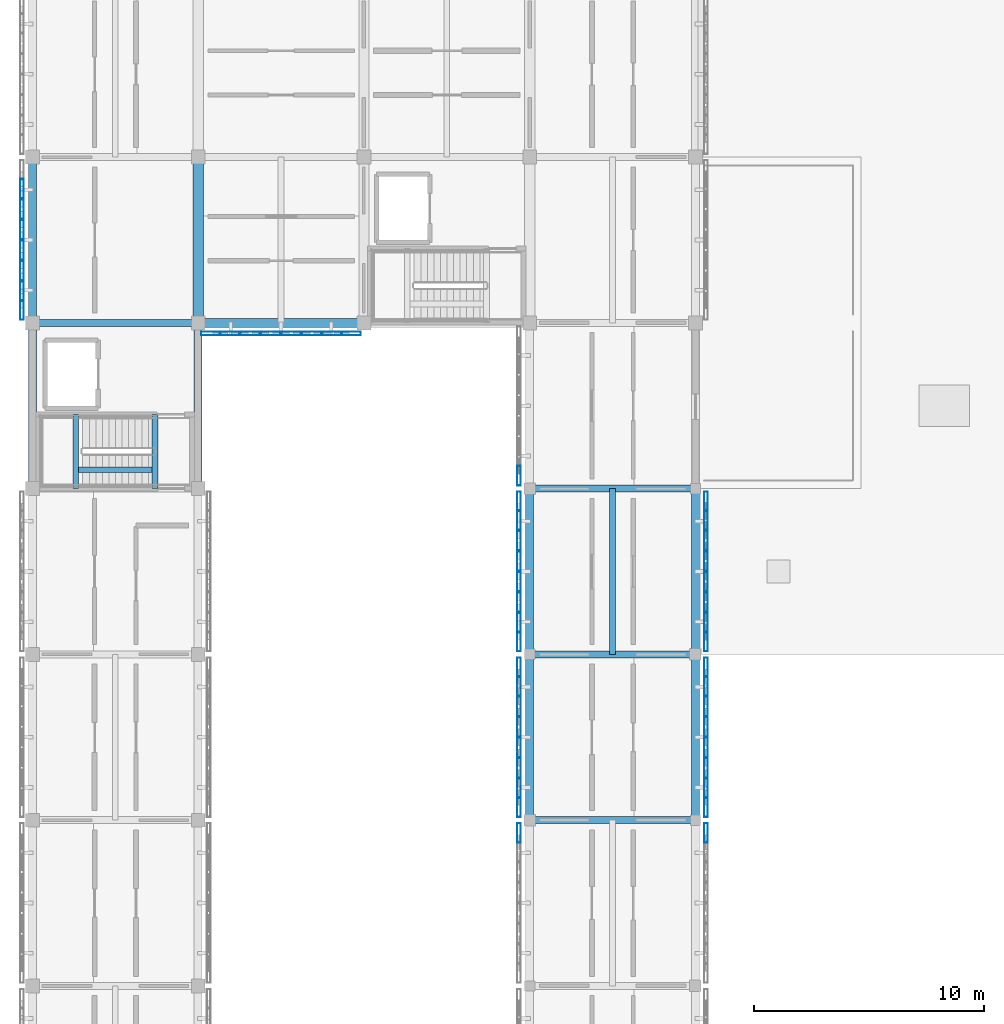
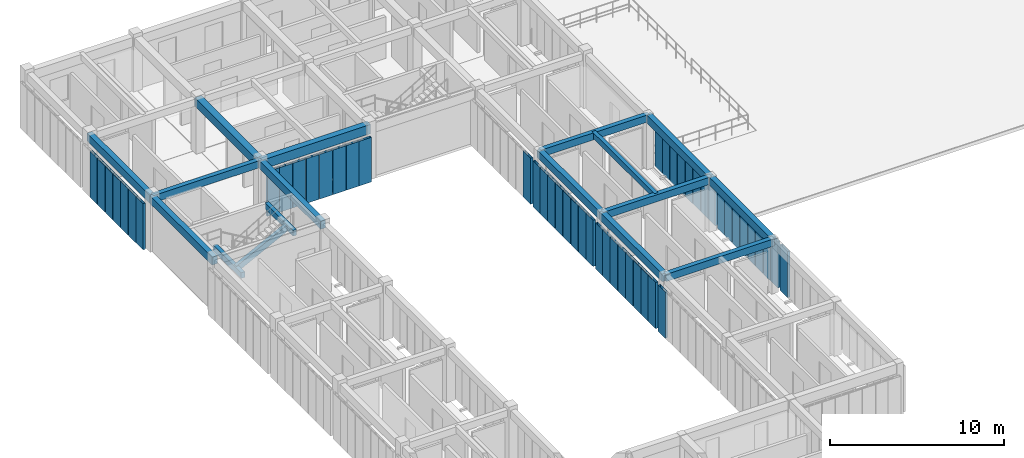
# One storey, part 7 of 67: 50 members, 17 beams, 9 elements without a shape of their own.
"""IFC4 building model written with IfcOpenShell, lengths in metres."""

from ifc_helpers import new_model, si_unit, direction, frame, origin, origin_2d, place, context, subcontext, project, spatial, rectangle, hollow_rectangle, extrude, material, material_profile, profile_set, type_object, element, aggregate, save


model = new_model("IFC4")

# Units and contexts
model_context = context("Model", 3, precision=1e-05, world=origin(), true_north=direction((0.0, 1.0)))
body_context = subcontext(model_context, "Body", "Model", "MODEL_VIEW")
ifc_project = project(units=[si_unit("LENGTHUNIT", "METRE"), si_unit("AREAUNIT", "SQUARE_METRE"), si_unit("VOLUMEUNIT", "CUBIC_METRE"), si_unit("PLANEANGLEUNIT", "RADIAN"), si_unit("MASSUNIT", "GRAM", prefix="KILO")], contexts=[model_context])

# Site, building, storey
site_placement = place(None, origin())
site = spatial("IfcSite", under=ifc_project, at=site_placement, CompositionType="ELEMENT")
building_placement = place(site_placement, origin())
building = spatial("IfcBuilding", under=site, at=building_placement, Name="Aldebral Square Health Centre", CompositionType="ELEMENT")
storey_placement = place(building_placement, frame((0.0, 0.0, 13.5)))
storey = spatial("IfcBuildingStorey", under=building, at=storey_placement, Name="L03", CompositionType="ELEMENT", Elevation=13.5)

# Beams
ifc_material_1 = material(Name="Concrete C40/50", Category="concrete")
ifc_material_profile_1 = material_profile(ifc_material_1, rectangle(XDim=0.39990234375, YDim=0.64990234375, at=origin_2d()), Name="RC 400x650")
ifc_profile_set_1 = profile_set([ifc_material_profile_1], Name="Concrete C40/50")
beam_type_1 = type_object("IfcBeamType", Name="BM-B1", PredefinedType="BEAM", material=ifc_profile_set_1)
beam_1_placement = place(storey_placement, frame((7.199951171875, 100.800048828125, 3.465087890625), z_axis=(1.0, 0.0, 0.0), x_axis=(0.0, 1.0, 0.0)))
element("IfcBeam", 1, at=beam_1_placement, inside=storey, type_object=beam_type_1, Name="L03 X-beam 2-3/G15", PredefinedType="BEAM", context=body_context, shape_type="SweptSolid", body=[
    extrude(rectangle(XDim=0.39990234375, YDim=0.64990234375, at=origin_2d()), origin(), (0.0, 0.0, 1.0), 7.199951171875),
])
ifc_material_profile_2 = material_profile(ifc_material_1, rectangle(XDim=0.35009765625, YDim=0.550048828125, at=origin_2d()), Name="RC 350x550")
ifc_profile_set_2 = profile_set([ifc_material_profile_2], Name="Concrete C40/50")
beam_type_2 = type_object("IfcBeamType", Name="BM-B3", PredefinedType="BEAM", material=ifc_profile_set_2)
for number, where, z_axis, x_axis, name in (
    (2, (0.0, 93.60009765625, 3.514892578125), (0.0, 1.0, 0.0), (-1.0, 0.0, 0.0), "L03 Y-beam G1/14-15"),
    (3, (0.0, 100.800048828125, 3.514892578125), (0.0, 1.0, 0.0), (-1.0, 0.0, 0.0), "L03 Y-beam G1/15-16"),
    (4, (7.199951171875, 93.60009765625, 3.514892578125), (0.0, 1.0, 0.0), (-1.0, 0.0, 0.0), "L03 Y-beam G2/14-15"),
    (5, (21.60009765625, 79.199951171875, 3.514892578125), (0.0, 1.0, 0.0), (-1.0, 0.0, 0.0), "L03 Y-beam G4/12-13"),
):
    element("IfcBeam", number, at=place(storey_placement, frame(where, z_axis=z_axis, x_axis=x_axis)), inside=storey, type_object=beam_type_2, Name=name, PredefinedType="BEAM", context=body_context, shape_type="SweptSolid", body=[
        extrude(rectangle(XDim=0.35009765625, YDim=0.550048828125, at=origin_2d()), origin(), (0.0, 0.0, 1.0), 7.199951171875),
    ])
beam_2_placement = place(storey_placement, frame((21.60009765625, 86.39990234375, 3.514892578125), z_axis=(0.0, 1.0, 0.0), x_axis=(-1.0, 0.0, 0.0)))
element("IfcBeam", 6, at=beam_2_placement, inside=storey, type_object=beam_type_2, Name="L03 Y-beam G4/13-14", PredefinedType="BEAM", context=body_context, shape_type="SweptSolid", body=[
    extrude(rectangle(XDim=0.35009765625, YDim=0.550048828125, at=origin_2d()), origin(), (0.0, 0.0, 1.0), 7.2001953125),
])
beam_3_placement = place(storey_placement, frame((28.800048828125, 79.199951171875, 3.514892578125), z_axis=(0.0, 1.0, 0.0), x_axis=(-1.0, 0.0, 0.0)))
element("IfcBeam", 7, at=beam_3_placement, inside=storey, type_object=beam_type_2, Name="L03 Y-beam G5/12-13", PredefinedType="BEAM", context=body_context, shape_type="SweptSolid", body=[
    extrude(rectangle(XDim=0.35009765625, YDim=0.550048828125, at=origin_2d()), origin(), (0.0, 0.0, 1.0), 7.199951171875),
])
beam_4_placement = place(storey_placement, frame((28.800048828125, 86.39990234375, 3.514892578125), z_axis=(0.0, 1.0, 0.0), x_axis=(-1.0, 0.0, 0.0)))
element("IfcBeam", 8, at=beam_4_placement, inside=storey, type_object=beam_type_2, Name="L03 Y-beam G5/13-14", PredefinedType="BEAM", context=body_context, shape_type="SweptSolid", body=[
    extrude(rectangle(XDim=0.35009765625, YDim=0.550048828125, at=origin_2d()), origin(), (0.0, 0.0, 1.0), 7.2001953125),
])
ifc_material_profile_3 = material_profile(ifc_material_1, rectangle(XDim=0.300048828125, YDim=0.5, at=origin_2d()), Name="RC 300x500")
ifc_profile_set_3 = profile_set([ifc_material_profile_3], Name="Concrete C40/50")
beam_type_3 = type_object("IfcBeamType", Name="BM-B4", PredefinedType="BEAM", material=ifc_profile_set_3)
for number, where, z_axis, x_axis, name in (
    (9, (0.0, 100.800048828125, 3.5400390625), (1.0, 0.0, 0.0), (0.0, 1.0, 0.0), "L03 X-beam 1-2/G15"),
    (10, (21.60009765625, 79.199951171875, 3.5400390625), (1.0, 0.0, 0.0), (0.0, 1.0, 0.0), "L03 X-beam 4-5/G12"),
    (11, (21.60009765625, 86.39990234375, 3.5400390625), (1.0, 0.0, 0.0), (0.0, 1.0, 0.0), "L03 X-beam 4-5/G13"),
    (12, (21.60009765625, 93.60009765625, 3.5400390625), (1.0, 0.0, 0.0), (0.0, 1.0, 0.0), "L03 X-beam 4-5/G14"),
):
    element("IfcBeam", number, at=place(storey_placement, frame(where, z_axis=z_axis, x_axis=x_axis)), inside=storey, type_object=beam_type_3, Name=name, PredefinedType="BEAM", context=body_context, shape_type="SweptSolid", body=[
        extrude(rectangle(XDim=0.300048828125, YDim=0.5, at=origin_2d()), origin(), (0.0, 0.0, 1.0), 7.199951171875),
    ])
ifc_material_profile_4 = material_profile(ifc_material_1, rectangle(XDim=0.25, YDim=0.39990234375, at=origin_2d()), Name="RC 250x400")
ifc_profile_set_4 = profile_set([ifc_material_profile_4], Name="Concrete C40/50")
beam_type_4 = type_object("IfcBeamType", Name="BM-B6", PredefinedType="JOIST", material=ifc_profile_set_4)
beam_5_placement = place(storey_placement, frame((25.199951171875, 86.39990234375, 3.590087890625), z_axis=(0.0, 1.0, 0.0), x_axis=(-1.0, 0.0, 0.0)))
element("IfcBeam", 13, at=beam_5_placement, inside=storey, type_object=beam_type_4, Name="L03 secondary rib 4.13", PredefinedType="JOIST", context=body_context, shape_type="SweptSolid", body=[
    extrude(rectangle(XDim=0.25, YDim=0.39990234375, at=origin_2d()), origin(), (0.0, 0.0, 1.0), 7.2001953125),
])
for number, where, z_axis, x_axis, name in (
    (14, (1.8798828125, 93.610107421875, 1.824951171875), (0.0, 1.0, 0.0), (-1.0, 0.0, 0.0), "L03 WC-C1 half-landing beam"),
    (15, (5.320068359375, 93.610107421875, 3.590087890625), (0.0, 1.0, 0.0), (-1.0, 0.0, 0.0), "L03 WC-C1 upper landing beam"),
):
    element("IfcBeam", number, at=place(storey_placement, frame(where, z_axis=z_axis, x_axis=x_axis)), inside=storey, type_object=beam_type_4, Name=name, PredefinedType="JOIST", context=body_context, shape_type="SweptSolid", body=[
        extrude(rectangle(XDim=0.25, YDim=0.39990234375, at=origin_2d()), origin(), (0.0, 0.0, 1.0), 3.219970703125),
    ])
beam_6_placement = place(storey_placement, frame((1.8798828125, 94.419921875, 1.824951171875), z_axis=(0.889718835693, 0.0, 0.456508919314), x_axis=(0.0, 1.0, 0.0)))
element("IfcBeam", 16, at=beam_6_placement, inside=storey, type_object=beam_type_4, Name="L03 WC-C1 flight stringer beam", PredefinedType="JOIST", context=body_context, shape_type="SweptSolid", body=[
    extrude(rectangle(XDim=0.25, YDim=0.39990234375, at=origin_2d()), origin(), (0.0, 0.0, 1.0), 3.86669921875),
])
ifc_material_profile_5 = material_profile(ifc_material_1, rectangle(XDim=0.449951171875, YDim=0.60009765625, at=origin_2d()), Name="RC 450x600")
ifc_profile_set_5 = profile_set([ifc_material_profile_5], Name="Concrete C40/50")
beam_type_5 = type_object("IfcBeamType", Name="BM-LN1", PredefinedType="LINTEL", material=ifc_profile_set_5)
beam_7_placement = place(storey_placement, frame((7.199951171875, 100.800048828125, 3.489990234375), z_axis=(0.0, 1.0, 0.0), x_axis=(-1.0, 0.0, 0.0)))
element("IfcBeam", 17, at=beam_7_placement, inside=storey, type_object=beam_type_5, Name="L03 Y-beam G2/15-16", PredefinedType="LINTEL", context=body_context, shape_type="SweptSolid", body=[
    extrude(rectangle(XDim=0.449951171875, YDim=0.60009765625, at=origin_2d()), origin(), (0.0, 0.0, 1.0), 7.199951171875),
])

# Curtain wall, members
ifc_material_2 = material(Name="Aluminium and low-E solar glass", Category="aluminium")
curtain_wall_type = type_object("IfcCurtainWallType", Name="CW-FIN-SYS", PredefinedType="USERDEFINED", material=ifc_material_2)
curtain_wall_1_placement = place(storey_placement, origin())
curtain_wall_1 = element("IfcCurtainWall", 18, at=curtain_wall_1_placement, inside=storey, type_object=curtain_wall_type, Name="L03 V4 finned curtain wall L03-V4-00-14-W", ObjectType="SOLAR_CURTAIN_WALL", PredefinedType="USERDEFINED")
ifc_material_3 = material(Name="Sienna-terracotta clad aluminium fin", Category="masonry")
ifc_material_profile_6 = material_profile(ifc_material_3, hollow_rectangle(XDim=0.159912109375, YDim=0.85009765625, WallThickness=0.006103515625, at=origin_2d()), Name="FIN 160x850x6")
ifc_profile_set_6 = profile_set([ifc_material_profile_6], Name="Sienna-terracotta clad aluminium fin")
member_type = type_object("IfcMemberType", Name="CWM-FIN", PredefinedType="MULLION", material=ifc_profile_set_6)
member_1_placement = place(storey_placement, frame((-0.4599609375, 106.628662109375, 0.0), z_axis=(0.0, 0.0, 1.0), x_axis=(1.0, 0.0, 0.0)))
member_1 = element("IfcMember", 19, at=member_1_placement, type_object=member_type, Name="CW1 mullion 2", PredefinedType="MULLION", context=body_context, shape_type="SweptSolid", body=[
    extrude(hollow_rectangle(XDim=0.159912109375, YDim=0.85009765625, WallThickness=0.006103515625, at=origin_2d()), origin(), (0.0, 0.0, 1.0), 3.239990234375),
])
member_2_placement = place(storey_placement, frame((-0.4599609375, 105.737060546875, 0.0), z_axis=(0.0, 0.0, 1.0), x_axis=(1.0, 0.0, 0.0)))
member_2 = element("IfcMember", 20, at=member_2_placement, type_object=member_type, Name="CW1 mullion 3", PredefinedType="MULLION", context=body_context, shape_type="SweptSolid", body=[
    extrude(hollow_rectangle(XDim=0.159912109375, YDim=0.85009765625, WallThickness=0.006103515625, at=origin_2d()), origin(), (0.0, 0.0, 1.0), 3.239990234375),
])
member_3_placement = place(storey_placement, frame((-0.4599609375, 104.845703125, 0.0), z_axis=(0.0, 0.0, 1.0), x_axis=(1.0, 0.0, 0.0)))
member_3 = element("IfcMember", 21, at=member_3_placement, type_object=member_type, Name="CW1 mullion 4", PredefinedType="MULLION", context=body_context, shape_type="SweptSolid", body=[
    extrude(hollow_rectangle(XDim=0.159912109375, YDim=0.85009765625, WallThickness=0.006103515625, at=origin_2d()), origin(), (0.0, 0.0, 1.0), 3.239990234375),
])
member_4_placement = place(storey_placement, frame((-0.4599609375, 103.954345703125, 0.0), z_axis=(0.0, 0.0, 1.0), x_axis=(1.0, 0.0, 0.0)))
member_4 = element("IfcMember", 22, at=member_4_placement, type_object=member_type, Name="CW1 mullion 5", PredefinedType="MULLION", context=body_context, shape_type="SweptSolid", body=[
    extrude(hollow_rectangle(XDim=0.159912109375, YDim=0.85009765625, WallThickness=0.006103515625, at=origin_2d()), origin(), (0.0, 0.0, 1.0), 3.239990234375),
])
member_5_placement = place(storey_placement, frame((-0.4599609375, 103.062744140625, 0.0), z_axis=(0.0, 0.0, 1.0), x_axis=(1.0, 0.0, 0.0)))
member_5 = element("IfcMember", 23, at=member_5_placement, type_object=member_type, Name="CW1 mullion 6", PredefinedType="MULLION", context=body_context, shape_type="SweptSolid", body=[
    extrude(hollow_rectangle(XDim=0.159912109375, YDim=0.85009765625, WallThickness=0.006103515625, at=origin_2d()), origin(), (0.0, 0.0, 1.0), 3.239990234375),
])
member_6_placement = place(storey_placement, frame((-0.4599609375, 102.17138671875, 0.0), z_axis=(0.0, 0.0, 1.0), x_axis=(1.0, 0.0, 0.0)))
member_6 = element("IfcMember", 24, at=member_6_placement, type_object=member_type, Name="CW1 mullion 7", PredefinedType="MULLION", context=body_context, shape_type="SweptSolid", body=[
    extrude(hollow_rectangle(XDim=0.159912109375, YDim=0.85009765625, WallThickness=0.006103515625, at=origin_2d()), origin(), (0.0, 0.0, 1.0), 3.239990234375),
])
member_7_placement = place(storey_placement, frame((-0.4599609375, 101.360107421875, 0.0), z_axis=(0.0, 0.0, 1.0), x_axis=(1.0, 0.0, 0.0)))
member_7 = element("IfcMember", 25, at=member_7_placement, type_object=member_type, Name="CW1 mullion 8", PredefinedType="MULLION", context=body_context, shape_type="SweptSolid", body=[
    extrude(hollow_rectangle(XDim=0.159912109375, YDim=0.85009765625, WallThickness=0.006103515625, at=origin_2d()), origin(), (0.0, 0.0, 1.0), 3.239990234375),
])
aggregate(curtain_wall_1, [member_1, member_2, member_3, member_4, member_5, member_6, member_7])

curtain_wall_2_placement = place(storey_placement, origin())
curtain_wall_2 = element("IfcCurtainWall", 26, at=curtain_wall_2_placement, inside=storey, type_object=curtain_wall_type, Name="L03 V4 finned curtain wall L03-V4-01-14-S", ObjectType="SOLAR_CURTAIN_WALL", PredefinedType="USERDEFINED")
member_8_placement = place(storey_placement, frame((7.760009765625, 100.340087890625, 0.0), z_axis=(0.0, 0.0, 1.0), x_axis=(0.0, 1.0, 0.0)))
member_8 = element("IfcMember", 27, at=member_8_placement, type_object=member_type, Name="CW1 mullion 1", PredefinedType="MULLION", context=body_context, shape_type="SweptSolid", body=[
    extrude(hollow_rectangle(XDim=0.159912109375, YDim=0.85009765625, WallThickness=0.006103515625, at=origin_2d()), origin(), (0.0, 0.0, 1.0), 3.139892578125),
])
member_9_placement = place(storey_placement, frame((8.571533203125, 100.340087890625, 0.0), z_axis=(0.0, 0.0, 1.0), x_axis=(0.0, 1.0, 0.0)))
member_9 = element("IfcMember", 28, at=member_9_placement, type_object=member_type, Name="CW1 mullion 2", PredefinedType="MULLION", context=body_context, shape_type="SweptSolid", body=[
    extrude(hollow_rectangle(XDim=0.159912109375, YDim=0.85009765625, WallThickness=0.006103515625, at=origin_2d()), origin(), (0.0, 0.0, 1.0), 3.139892578125),
])
member_10_placement = place(storey_placement, frame((9.462890625, 100.340087890625, 0.0), z_axis=(0.0, 0.0, 1.0), x_axis=(0.0, 1.0, 0.0)))
member_10 = element("IfcMember", 29, at=member_10_placement, type_object=member_type, Name="CW1 mullion 3", PredefinedType="MULLION", context=body_context, shape_type="SweptSolid", body=[
    extrude(hollow_rectangle(XDim=0.159912109375, YDim=0.85009765625, WallThickness=0.006103515625, at=origin_2d()), origin(), (0.0, 0.0, 1.0), 3.139892578125),
])
member_11_placement = place(storey_placement, frame((10.354248046875, 100.340087890625, 0.0), z_axis=(0.0, 0.0, 1.0), x_axis=(0.0, 1.0, 0.0)))
member_11 = element("IfcMember", 30, at=member_11_placement, type_object=member_type, Name="CW1 mullion 4", PredefinedType="MULLION", context=body_context, shape_type="SweptSolid", body=[
    extrude(hollow_rectangle(XDim=0.159912109375, YDim=0.85009765625, WallThickness=0.006103515625, at=origin_2d()), origin(), (0.0, 0.0, 1.0), 3.139892578125),
])
member_12_placement = place(storey_placement, frame((11.24560546875, 100.340087890625, 0.0), z_axis=(0.0, 0.0, 1.0), x_axis=(0.0, 1.0, 0.0)))
member_12 = element("IfcMember", 31, at=member_12_placement, type_object=member_type, Name="CW1 mullion 5", PredefinedType="MULLION", context=body_context, shape_type="SweptSolid", body=[
    extrude(hollow_rectangle(XDim=0.159912109375, YDim=0.85009765625, WallThickness=0.006103515625, at=origin_2d()), origin(), (0.0, 0.0, 1.0), 3.139892578125),
])
member_13_placement = place(storey_placement, frame((12.13720703125, 100.340087890625, 0.0), z_axis=(0.0, 0.0, 1.0), x_axis=(0.0, 1.0, 0.0)))
member_13 = element("IfcMember", 32, at=member_13_placement, type_object=member_type, Name="CW1 mullion 6", PredefinedType="MULLION", context=body_context, shape_type="SweptSolid", body=[
    extrude(hollow_rectangle(XDim=0.159912109375, YDim=0.85009765625, WallThickness=0.006103515625, at=origin_2d()), origin(), (0.0, 0.0, 1.0), 3.139892578125),
])
member_14_placement = place(storey_placement, frame((13.028564453125, 100.340087890625, 0.0), z_axis=(0.0, 0.0, 1.0), x_axis=(0.0, 1.0, 0.0)))
member_14 = element("IfcMember", 33, at=member_14_placement, type_object=member_type, Name="CW1 mullion 7", PredefinedType="MULLION", context=body_context, shape_type="SweptSolid", body=[
    extrude(hollow_rectangle(XDim=0.159912109375, YDim=0.85009765625, WallThickness=0.006103515625, at=origin_2d()), origin(), (0.0, 0.0, 1.0), 3.139892578125),
])
member_15_placement = place(storey_placement, frame((13.840087890625, 100.340087890625, 0.0), z_axis=(0.0, 0.0, 1.0), x_axis=(0.0, 1.0, 0.0)))
member_15 = element("IfcMember", 34, at=member_15_placement, type_object=member_type, Name="CW1 mullion 8", PredefinedType="MULLION", context=body_context, shape_type="SweptSolid", body=[
    extrude(hollow_rectangle(XDim=0.159912109375, YDim=0.85009765625, WallThickness=0.006103515625, at=origin_2d()), origin(), (0.0, 0.0, 1.0), 3.139892578125),
])
aggregate(curtain_wall_2, [member_8, member_9, member_10, member_11, member_12, member_13, member_14, member_15])

# Curtain wall, member
curtain_wall_3_placement = place(storey_placement, origin())
curtain_wall_3 = element("IfcCurtainWall", 35, at=curtain_wall_3_placement, inside=storey, type_object=curtain_wall_type, Name="L03 V4 finned curtain wall L03-V4-03-10-W", ObjectType="SOLAR_CURTAIN_WALL", PredefinedType="USERDEFINED")
member_16_placement = place(storey_placement, frame((21.139892578125, 78.639892578125, 0.0), z_axis=(0.0, 0.0, 1.0), x_axis=(1.0, 0.0, 0.0)))
member_16 = element("IfcMember", 36, at=member_16_placement, type_object=member_type, Name="CW1 mullion 1", PredefinedType="MULLION", context=body_context, shape_type="SweptSolid", body=[
    extrude(hollow_rectangle(XDim=0.159912109375, YDim=0.85009765625, WallThickness=0.006103515625, at=origin_2d()), origin(), (0.0, 0.0, 1.0), 3.239990234375),
])
aggregate(curtain_wall_3, [member_16])

curtain_wall_4_placement = place(storey_placement, origin())
curtain_wall_4 = element("IfcCurtainWall", 37, at=curtain_wall_4_placement, inside=storey, type_object=curtain_wall_type, Name="L03 V4 finned curtain wall L03-V4-03-10-E", ObjectType="SOLAR_CURTAIN_WALL", PredefinedType="USERDEFINED")
member_17_placement = place(storey_placement, frame((29.260009765625, 78.639892578125, 0.0), z_axis=(0.0, 0.0, 1.0), x_axis=(-1.0, 0.0, 0.0)))
member_17 = element("IfcMember", 38, at=member_17_placement, type_object=member_type, Name="CW1 mullion 8", PredefinedType="MULLION", context=body_context, shape_type="SweptSolid", body=[
    extrude(hollow_rectangle(XDim=0.159912109375, YDim=0.85009765625, WallThickness=0.006103515625, at=origin_2d()), origin(), (0.0, 0.0, 1.0), 3.239990234375),
])
aggregate(curtain_wall_4, [member_17])

# Curtain wall, members
curtain_wall_5_placement = place(storey_placement, origin())
curtain_wall_5 = element("IfcCurtainWall", 39, at=curtain_wall_5_placement, inside=storey, type_object=curtain_wall_type, Name="L03 V4 finned curtain wall L03-V4-03-11-W", ObjectType="SOLAR_CURTAIN_WALL", PredefinedType="USERDEFINED")
member_18_placement = place(storey_placement, frame((21.139892578125, 85.840087890625, 0.0), z_axis=(0.0, 0.0, 1.0), x_axis=(1.0, 0.0, 0.0)))
member_18 = element("IfcMember", 40, at=member_18_placement, type_object=member_type, Name="CW1 mullion 1", PredefinedType="MULLION", context=body_context, shape_type="SweptSolid", body=[
    extrude(hollow_rectangle(XDim=0.159912109375, YDim=0.85009765625, WallThickness=0.006103515625, at=origin_2d()), origin(), (0.0, 0.0, 1.0), 3.239990234375),
])
member_19_placement = place(storey_placement, frame((21.139892578125, 85.028564453125, 0.0), z_axis=(0.0, 0.0, 1.0), x_axis=(1.0, 0.0, 0.0)))
member_19 = element("IfcMember", 41, at=member_19_placement, type_object=member_type, Name="CW1 mullion 2", PredefinedType="MULLION", context=body_context, shape_type="SweptSolid", body=[
    extrude(hollow_rectangle(XDim=0.159912109375, YDim=0.85009765625, WallThickness=0.006103515625, at=origin_2d()), origin(), (0.0, 0.0, 1.0), 3.239990234375),
])
member_20_placement = place(storey_placement, frame((21.139892578125, 84.13720703125, 0.0), z_axis=(0.0, 0.0, 1.0), x_axis=(1.0, 0.0, 0.0)))
member_20 = element("IfcMember", 42, at=member_20_placement, type_object=member_type, Name="CW1 mullion 3", PredefinedType="MULLION", context=body_context, shape_type="SweptSolid", body=[
    extrude(hollow_rectangle(XDim=0.159912109375, YDim=0.85009765625, WallThickness=0.006103515625, at=origin_2d()), origin(), (0.0, 0.0, 1.0), 3.239990234375),
])
member_21_placement = place(storey_placement, frame((21.139892578125, 83.24560546875, 0.0), z_axis=(0.0, 0.0, 1.0), x_axis=(1.0, 0.0, 0.0)))
member_21 = element("IfcMember", 43, at=member_21_placement, type_object=member_type, Name="CW1 mullion 4", PredefinedType="MULLION", context=body_context, shape_type="SweptSolid", body=[
    extrude(hollow_rectangle(XDim=0.159912109375, YDim=0.85009765625, WallThickness=0.006103515625, at=origin_2d()), origin(), (0.0, 0.0, 1.0), 3.239990234375),
])
member_22_placement = place(storey_placement, frame((21.139892578125, 82.354248046875, 0.0), z_axis=(0.0, 0.0, 1.0), x_axis=(1.0, 0.0, 0.0)))
member_22 = element("IfcMember", 44, at=member_22_placement, type_object=member_type, Name="CW1 mullion 5", PredefinedType="MULLION", context=body_context, shape_type="SweptSolid", body=[
    extrude(hollow_rectangle(XDim=0.159912109375, YDim=0.85009765625, WallThickness=0.006103515625, at=origin_2d()), origin(), (0.0, 0.0, 1.0), 3.239990234375),
])
member_23_placement = place(storey_placement, frame((21.139892578125, 81.462890625, 0.0), z_axis=(0.0, 0.0, 1.0), x_axis=(1.0, 0.0, 0.0)))
member_23 = element("IfcMember", 45, at=member_23_placement, type_object=member_type, Name="CW1 mullion 6", PredefinedType="MULLION", context=body_context, shape_type="SweptSolid", body=[
    extrude(hollow_rectangle(XDim=0.159912109375, YDim=0.85009765625, WallThickness=0.006103515625, at=origin_2d()), origin(), (0.0, 0.0, 1.0), 3.239990234375),
])
member_24_placement = place(storey_placement, frame((21.139892578125, 80.571533203125, 0.0), z_axis=(0.0, 0.0, 1.0), x_axis=(1.0, 0.0, 0.0)))
member_24 = element("IfcMember", 46, at=member_24_placement, type_object=member_type, Name="CW1 mullion 7", PredefinedType="MULLION", context=body_context, shape_type="SweptSolid", body=[
    extrude(hollow_rectangle(XDim=0.159912109375, YDim=0.85009765625, WallThickness=0.006103515625, at=origin_2d()), origin(), (0.0, 0.0, 1.0), 3.239990234375),
])
member_25_placement = place(storey_placement, frame((21.139892578125, 79.760009765625, 0.0), z_axis=(0.0, 0.0, 1.0), x_axis=(1.0, 0.0, 0.0)))
member_25 = element("IfcMember", 47, at=member_25_placement, type_object=member_type, Name="CW1 mullion 8", PredefinedType="MULLION", context=body_context, shape_type="SweptSolid", body=[
    extrude(hollow_rectangle(XDim=0.159912109375, YDim=0.85009765625, WallThickness=0.006103515625, at=origin_2d()), origin(), (0.0, 0.0, 1.0), 3.239990234375),
])
aggregate(curtain_wall_5, [member_18, member_19, member_20, member_21, member_22, member_23, member_24, member_25])

curtain_wall_6_placement = place(storey_placement, origin())
curtain_wall_6 = element("IfcCurtainWall", 48, at=curtain_wall_6_placement, inside=storey, type_object=curtain_wall_type, Name="L03 V4 finned curtain wall L03-V4-03-11-E", ObjectType="SOLAR_CURTAIN_WALL", PredefinedType="USERDEFINED")
member_26_placement = place(storey_placement, frame((29.260009765625, 79.760009765625, 0.0), z_axis=(0.0, 0.0, 1.0), x_axis=(-1.0, 0.0, 0.0)))
member_26 = element("IfcMember", 49, at=member_26_placement, type_object=member_type, Name="CW1 mullion 1", PredefinedType="MULLION", context=body_context, shape_type="SweptSolid", body=[
    extrude(hollow_rectangle(XDim=0.159912109375, YDim=0.85009765625, WallThickness=0.006103515625, at=origin_2d()), origin(), (0.0, 0.0, 1.0), 3.239990234375),
])
member_27_placement = place(storey_placement, frame((29.260009765625, 80.571533203125, 0.0), z_axis=(0.0, 0.0, 1.0), x_axis=(-1.0, 0.0, 0.0)))
member_27 = element("IfcMember", 50, at=member_27_placement, type_object=member_type, Name="CW1 mullion 2", PredefinedType="MULLION", context=body_context, shape_type="SweptSolid", body=[
    extrude(hollow_rectangle(XDim=0.159912109375, YDim=0.85009765625, WallThickness=0.006103515625, at=origin_2d()), origin(), (0.0, 0.0, 1.0), 3.239990234375),
])
member_28_placement = place(storey_placement, frame((29.260009765625, 81.462890625, 0.0), z_axis=(0.0, 0.0, 1.0), x_axis=(-1.0, 0.0, 0.0)))
member_28 = element("IfcMember", 51, at=member_28_placement, type_object=member_type, Name="CW1 mullion 3", PredefinedType="MULLION", context=body_context, shape_type="SweptSolid", body=[
    extrude(hollow_rectangle(XDim=0.159912109375, YDim=0.85009765625, WallThickness=0.006103515625, at=origin_2d()), origin(), (0.0, 0.0, 1.0), 3.239990234375),
])
member_29_placement = place(storey_placement, frame((29.260009765625, 82.354248046875, 0.0), z_axis=(0.0, 0.0, 1.0), x_axis=(-1.0, 0.0, 0.0)))
member_29 = element("IfcMember", 52, at=member_29_placement, type_object=member_type, Name="CW1 mullion 4", PredefinedType="MULLION", context=body_context, shape_type="SweptSolid", body=[
    extrude(hollow_rectangle(XDim=0.159912109375, YDim=0.85009765625, WallThickness=0.006103515625, at=origin_2d()), origin(), (0.0, 0.0, 1.0), 3.239990234375),
])
member_30_placement = place(storey_placement, frame((29.260009765625, 83.24560546875, 0.0), z_axis=(0.0, 0.0, 1.0), x_axis=(-1.0, 0.0, 0.0)))
member_30 = element("IfcMember", 53, at=member_30_placement, type_object=member_type, Name="CW1 mullion 5", PredefinedType="MULLION", context=body_context, shape_type="SweptSolid", body=[
    extrude(hollow_rectangle(XDim=0.159912109375, YDim=0.85009765625, WallThickness=0.006103515625, at=origin_2d()), origin(), (0.0, 0.0, 1.0), 3.239990234375),
])
member_31_placement = place(storey_placement, frame((29.260009765625, 84.13720703125, 0.0), z_axis=(0.0, 0.0, 1.0), x_axis=(-1.0, 0.0, 0.0)))
member_31 = element("IfcMember", 54, at=member_31_placement, type_object=member_type, Name="CW1 mullion 6", PredefinedType="MULLION", context=body_context, shape_type="SweptSolid", body=[
    extrude(hollow_rectangle(XDim=0.159912109375, YDim=0.85009765625, WallThickness=0.006103515625, at=origin_2d()), origin(), (0.0, 0.0, 1.0), 3.239990234375),
])
member_32_placement = place(storey_placement, frame((29.260009765625, 85.028564453125, 0.0), z_axis=(0.0, 0.0, 1.0), x_axis=(-1.0, 0.0, 0.0)))
member_32 = element("IfcMember", 55, at=member_32_placement, type_object=member_type, Name="CW1 mullion 7", PredefinedType="MULLION", context=body_context, shape_type="SweptSolid", body=[
    extrude(hollow_rectangle(XDim=0.159912109375, YDim=0.85009765625, WallThickness=0.006103515625, at=origin_2d()), origin(), (0.0, 0.0, 1.0), 3.239990234375),
])
member_33_placement = place(storey_placement, frame((29.260009765625, 85.840087890625, 0.0), z_axis=(0.0, 0.0, 1.0), x_axis=(-1.0, 0.0, 0.0)))
member_33 = element("IfcMember", 56, at=member_33_placement, type_object=member_type, Name="CW1 mullion 8", PredefinedType="MULLION", context=body_context, shape_type="SweptSolid", body=[
    extrude(hollow_rectangle(XDim=0.159912109375, YDim=0.85009765625, WallThickness=0.006103515625, at=origin_2d()), origin(), (0.0, 0.0, 1.0), 3.239990234375),
])
aggregate(curtain_wall_6, [member_26, member_27, member_28, member_29, member_30, member_31, member_32, member_33])

curtain_wall_7_placement = place(storey_placement, origin())
curtain_wall_7 = element("IfcCurtainWall", 57, at=curtain_wall_7_placement, inside=storey, type_object=curtain_wall_type, Name="L03 V4 finned curtain wall L03-V4-03-12-W", ObjectType="SOLAR_CURTAIN_WALL", PredefinedType="USERDEFINED")
member_34_placement = place(storey_placement, frame((21.139892578125, 93.0400390625, 0.0), z_axis=(0.0, 0.0, 1.0), x_axis=(1.0, 0.0, 0.0)))
member_34 = element("IfcMember", 58, at=member_34_placement, type_object=member_type, Name="CW1 mullion 1", PredefinedType="MULLION", context=body_context, shape_type="SweptSolid", body=[
    extrude(hollow_rectangle(XDim=0.159912109375, YDim=0.85009765625, WallThickness=0.006103515625, at=origin_2d()), origin(), (0.0, 0.0, 1.0), 3.239990234375),
])
member_35_placement = place(storey_placement, frame((21.139892578125, 92.228515625, 0.0), z_axis=(0.0, 0.0, 1.0), x_axis=(1.0, 0.0, 0.0)))
member_35 = element("IfcMember", 59, at=member_35_placement, type_object=member_type, Name="CW1 mullion 2", PredefinedType="MULLION", context=body_context, shape_type="SweptSolid", body=[
    extrude(hollow_rectangle(XDim=0.159912109375, YDim=0.85009765625, WallThickness=0.006103515625, at=origin_2d()), origin(), (0.0, 0.0, 1.0), 3.239990234375),
])
member_36_placement = place(storey_placement, frame((21.139892578125, 91.337158203125, 0.0), z_axis=(0.0, 0.0, 1.0), x_axis=(1.0, 0.0, 0.0)))
member_36 = element("IfcMember", 60, at=member_36_placement, type_object=member_type, Name="CW1 mullion 3", PredefinedType="MULLION", context=body_context, shape_type="SweptSolid", body=[
    extrude(hollow_rectangle(XDim=0.159912109375, YDim=0.85009765625, WallThickness=0.006103515625, at=origin_2d()), origin(), (0.0, 0.0, 1.0), 3.239990234375),
])
member_37_placement = place(storey_placement, frame((21.139892578125, 90.44580078125, 0.0), z_axis=(0.0, 0.0, 1.0), x_axis=(1.0, 0.0, 0.0)))
member_37 = element("IfcMember", 61, at=member_37_placement, type_object=member_type, Name="CW1 mullion 4", PredefinedType="MULLION", context=body_context, shape_type="SweptSolid", body=[
    extrude(hollow_rectangle(XDim=0.159912109375, YDim=0.85009765625, WallThickness=0.006103515625, at=origin_2d()), origin(), (0.0, 0.0, 1.0), 3.239990234375),
])
member_38_placement = place(storey_placement, frame((21.139892578125, 89.55419921875, 0.0), z_axis=(0.0, 0.0, 1.0), x_axis=(1.0, 0.0, 0.0)))
member_38 = element("IfcMember", 62, at=member_38_placement, type_object=member_type, Name="CW1 mullion 5", PredefinedType="MULLION", context=body_context, shape_type="SweptSolid", body=[
    extrude(hollow_rectangle(XDim=0.159912109375, YDim=0.85009765625, WallThickness=0.006103515625, at=origin_2d()), origin(), (0.0, 0.0, 1.0), 3.239990234375),
])
member_39_placement = place(storey_placement, frame((21.139892578125, 88.662841796875, 0.0), z_axis=(0.0, 0.0, 1.0), x_axis=(1.0, 0.0, 0.0)))
member_39 = element("IfcMember", 63, at=member_39_placement, type_object=member_type, Name="CW1 mullion 6", PredefinedType="MULLION", context=body_context, shape_type="SweptSolid", body=[
    extrude(hollow_rectangle(XDim=0.159912109375, YDim=0.85009765625, WallThickness=0.006103515625, at=origin_2d()), origin(), (0.0, 0.0, 1.0), 3.239990234375),
])
member_40_placement = place(storey_placement, frame((21.139892578125, 87.771484375, 0.0), z_axis=(0.0, 0.0, 1.0), x_axis=(1.0, 0.0, 0.0)))
member_40 = element("IfcMember", 64, at=member_40_placement, type_object=member_type, Name="CW1 mullion 7", PredefinedType="MULLION", context=body_context, shape_type="SweptSolid", body=[
    extrude(hollow_rectangle(XDim=0.159912109375, YDim=0.85009765625, WallThickness=0.006103515625, at=origin_2d()), origin(), (0.0, 0.0, 1.0), 3.239990234375),
])
member_41_placement = place(storey_placement, frame((21.139892578125, 86.9599609375, 0.0), z_axis=(0.0, 0.0, 1.0), x_axis=(1.0, 0.0, 0.0)))
member_41 = element("IfcMember", 65, at=member_41_placement, type_object=member_type, Name="CW1 mullion 8", PredefinedType="MULLION", context=body_context, shape_type="SweptSolid", body=[
    extrude(hollow_rectangle(XDim=0.159912109375, YDim=0.85009765625, WallThickness=0.006103515625, at=origin_2d()), origin(), (0.0, 0.0, 1.0), 3.239990234375),
])
aggregate(curtain_wall_7, [member_34, member_35, member_36, member_37, member_38, member_39, member_40, member_41])

curtain_wall_8_placement = place(storey_placement, origin())
curtain_wall_8 = element("IfcCurtainWall", 66, at=curtain_wall_8_placement, inside=storey, type_object=curtain_wall_type, Name="L03 V4 finned curtain wall L03-V4-03-12-E", ObjectType="SOLAR_CURTAIN_WALL", PredefinedType="USERDEFINED")
member_42_placement = place(storey_placement, frame((29.260009765625, 86.9599609375, 0.0), z_axis=(0.0, 0.0, 1.0), x_axis=(-1.0, 0.0, 0.0)))
member_42 = element("IfcMember", 67, at=member_42_placement, type_object=member_type, Name="CW1 mullion 1", PredefinedType="MULLION", context=body_context, shape_type="SweptSolid", body=[
    extrude(hollow_rectangle(XDim=0.159912109375, YDim=0.85009765625, WallThickness=0.006103515625, at=origin_2d()), origin(), (0.0, 0.0, 1.0), 3.239990234375),
])
member_43_placement = place(storey_placement, frame((29.260009765625, 87.771484375, 0.0), z_axis=(0.0, 0.0, 1.0), x_axis=(-1.0, 0.0, 0.0)))
member_43 = element("IfcMember", 68, at=member_43_placement, type_object=member_type, Name="CW1 mullion 2", PredefinedType="MULLION", context=body_context, shape_type="SweptSolid", body=[
    extrude(hollow_rectangle(XDim=0.159912109375, YDim=0.85009765625, WallThickness=0.006103515625, at=origin_2d()), origin(), (0.0, 0.0, 1.0), 3.239990234375),
])
member_44_placement = place(storey_placement, frame((29.260009765625, 88.662841796875, 0.0), z_axis=(0.0, 0.0, 1.0), x_axis=(-1.0, 0.0, 0.0)))
member_44 = element("IfcMember", 69, at=member_44_placement, type_object=member_type, Name="CW1 mullion 3", PredefinedType="MULLION", context=body_context, shape_type="SweptSolid", body=[
    extrude(hollow_rectangle(XDim=0.159912109375, YDim=0.85009765625, WallThickness=0.006103515625, at=origin_2d()), origin(), (0.0, 0.0, 1.0), 3.239990234375),
])
member_45_placement = place(storey_placement, frame((29.260009765625, 89.55419921875, 0.0), z_axis=(0.0, 0.0, 1.0), x_axis=(-1.0, 0.0, 0.0)))
member_45 = element("IfcMember", 70, at=member_45_placement, type_object=member_type, Name="CW1 mullion 4", PredefinedType="MULLION", context=body_context, shape_type="SweptSolid", body=[
    extrude(hollow_rectangle(XDim=0.159912109375, YDim=0.85009765625, WallThickness=0.006103515625, at=origin_2d()), origin(), (0.0, 0.0, 1.0), 3.239990234375),
])
member_46_placement = place(storey_placement, frame((29.260009765625, 90.44580078125, 0.0), z_axis=(0.0, 0.0, 1.0), x_axis=(-1.0, 0.0, 0.0)))
member_46 = element("IfcMember", 71, at=member_46_placement, type_object=member_type, Name="CW1 mullion 5", PredefinedType="MULLION", context=body_context, shape_type="SweptSolid", body=[
    extrude(hollow_rectangle(XDim=0.159912109375, YDim=0.85009765625, WallThickness=0.006103515625, at=origin_2d()), origin(), (0.0, 0.0, 1.0), 3.239990234375),
])
member_47_placement = place(storey_placement, frame((29.260009765625, 91.337158203125, 0.0), z_axis=(0.0, 0.0, 1.0), x_axis=(-1.0, 0.0, 0.0)))
member_47 = element("IfcMember", 72, at=member_47_placement, type_object=member_type, Name="CW1 mullion 6", PredefinedType="MULLION", context=body_context, shape_type="SweptSolid", body=[
    extrude(hollow_rectangle(XDim=0.159912109375, YDim=0.85009765625, WallThickness=0.006103515625, at=origin_2d()), origin(), (0.0, 0.0, 1.0), 3.239990234375),
])
member_48_placement = place(storey_placement, frame((29.260009765625, 92.228515625, 0.0), z_axis=(0.0, 0.0, 1.0), x_axis=(-1.0, 0.0, 0.0)))
member_48 = element("IfcMember", 73, at=member_48_placement, type_object=member_type, Name="CW1 mullion 7", PredefinedType="MULLION", context=body_context, shape_type="SweptSolid", body=[
    extrude(hollow_rectangle(XDim=0.159912109375, YDim=0.85009765625, WallThickness=0.006103515625, at=origin_2d()), origin(), (0.0, 0.0, 1.0), 3.239990234375),
])
member_49_placement = place(storey_placement, frame((29.260009765625, 93.0400390625, 0.0), z_axis=(0.0, 0.0, 1.0), x_axis=(-1.0, 0.0, 0.0)))
member_49 = element("IfcMember", 74, at=member_49_placement, type_object=member_type, Name="CW1 mullion 8", PredefinedType="MULLION", context=body_context, shape_type="SweptSolid", body=[
    extrude(hollow_rectangle(XDim=0.159912109375, YDim=0.85009765625, WallThickness=0.006103515625, at=origin_2d()), origin(), (0.0, 0.0, 1.0), 3.239990234375),
])
aggregate(curtain_wall_8, [member_42, member_43, member_44, member_45, member_46, member_47, member_48, member_49])

# Curtain wall, member
curtain_wall_9_placement = place(storey_placement, origin())
curtain_wall_9 = element("IfcCurtainWall", 75, at=curtain_wall_9_placement, inside=storey, type_object=curtain_wall_type, Name="L03 V4 finned curtain wall L03-V4-03-13-W", ObjectType="SOLAR_CURTAIN_WALL", PredefinedType="USERDEFINED")
member_50_placement = place(storey_placement, frame((21.139892578125, 94.159912109375, 0.0), z_axis=(0.0, 0.0, 1.0), x_axis=(1.0, 0.0, 0.0)))
member_50 = element("IfcMember", 76, at=member_50_placement, type_object=member_type, Name="CW1 mullion 8", PredefinedType="MULLION", context=body_context, shape_type="SweptSolid", body=[
    extrude(hollow_rectangle(XDim=0.159912109375, YDim=0.85009765625, WallThickness=0.006103515625, at=origin_2d()), origin(), (0.0, 0.0, 1.0), 3.239990234375),
])
aggregate(curtain_wall_9, [member_50])

save(model, "model.ifc")
